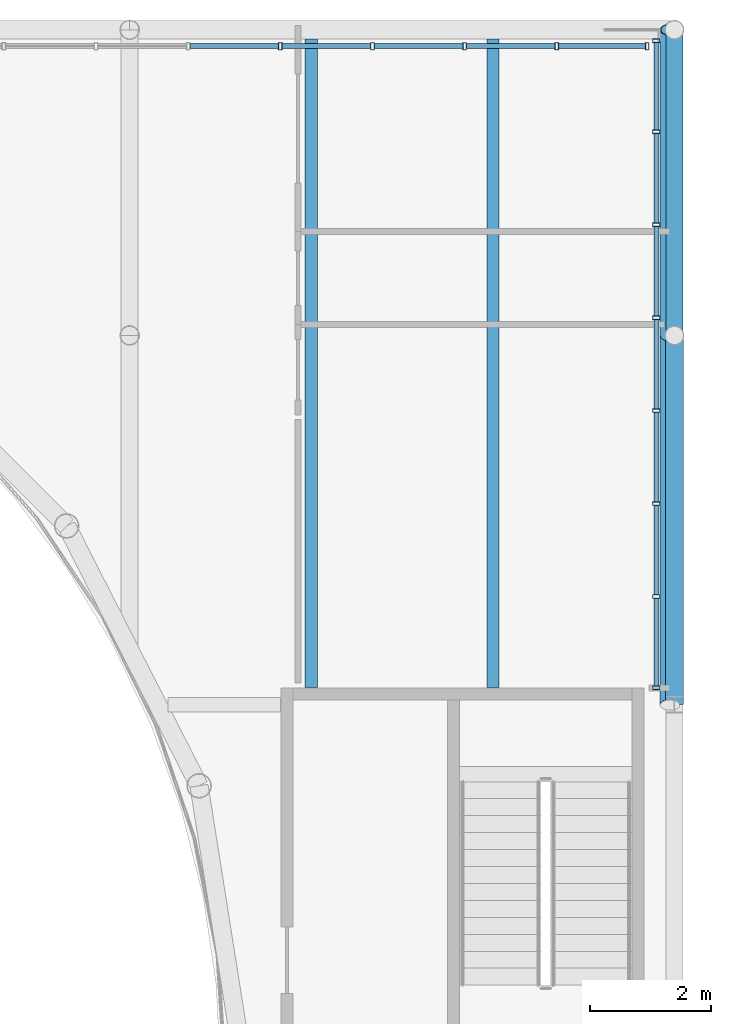
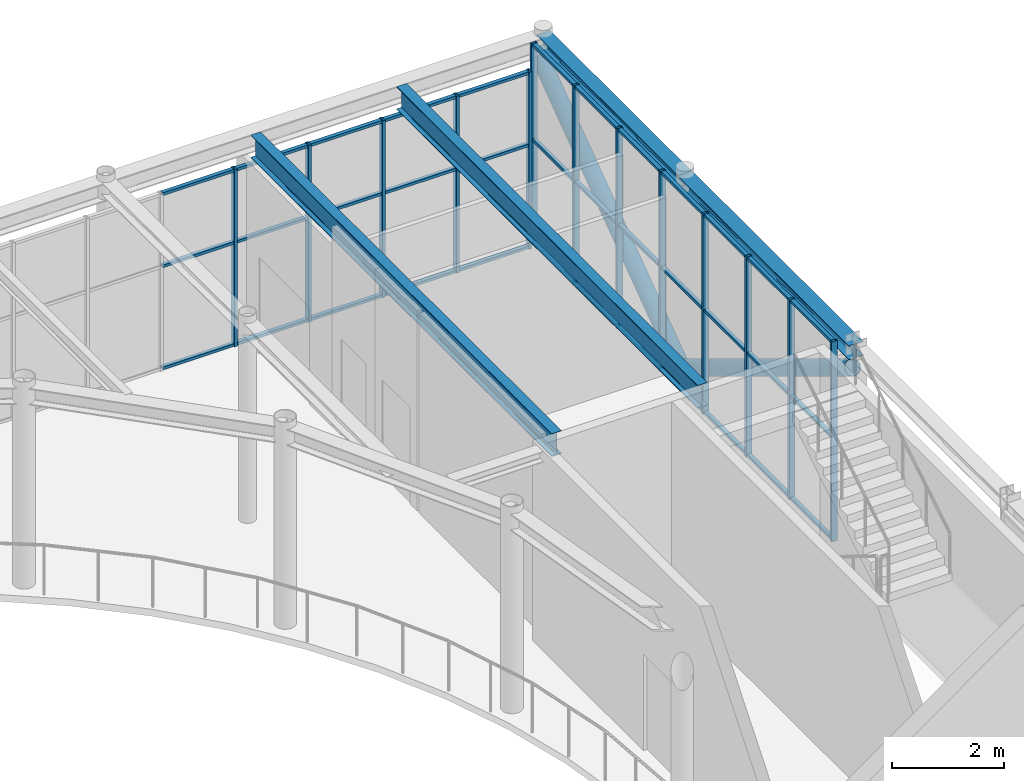
# One storey, part 43 of 70: 51 members, 4 beams, 2 elements without a shape of their own.
"""IFC4 building model written with IfcOpenShell, lengths in metres."""

from ifc_helpers import new_model, si_unit, direction, frame, origin, origin_2d, place, context, subcontext, project, spatial, hollow_rectangle, hollow_circle, i_section, extrude, material, layer, layer_set, material_profile, profile_set, type_object, element, aggregate, save


model = new_model("IFC4")

# Units and contexts
model_context = context("Model", 3, precision=1e-05, world=origin(), true_north=direction((0.0, 1.0)))
body_context = subcontext(model_context, "Body", "Model", "MODEL_VIEW")
ifc_project = project(units=[si_unit("LENGTHUNIT", "METRE"), si_unit("AREAUNIT", "SQUARE_METRE"), si_unit("VOLUMEUNIT", "CUBIC_METRE"), si_unit("PLANEANGLEUNIT", "RADIAN"), si_unit("MASSUNIT", "GRAM", prefix="KILO")], contexts=[model_context])

# Site, building, storey
site_placement = place(None, origin())
site = spatial("IfcSite", under=ifc_project, at=site_placement, CompositionType="ELEMENT")
building_placement = place(site_placement, origin())
building = spatial("IfcBuilding", under=site, at=building_placement, Name="Kallimachos Central Library", CompositionType="ELEMENT")
storey_placement = place(building_placement, frame((0.0, 0.0, 18.89990234375)))
storey = spatial("IfcBuildingStorey", under=building, at=storey_placement, Name="L04", CompositionType="ELEMENT", Elevation=18.89990234375)

# Members
ifc_material_1 = material(Name="Steel S355J2H", Category="steel")
ifc_material_profile_1 = material_profile(ifc_material_1, hollow_circle(Radius=0.161865234375, WallThickness=0.012451171875, at=origin_2d()), Name="CHS 323.9x12.5")
ifc_profile_set_1 = profile_set([ifc_material_profile_1], Name="Steel S355J2H")
member_type_1 = type_object("IfcMemberType", Name="CHS 323.9x12.5 brace", PredefinedType="BRACE", material=ifc_profile_set_1)
member_1_placement = place(storey_placement, frame((110.427001953125, 110.5, 3.85009765625), z_axis=(0.0, 0.855016223334, -0.518601251286), x_axis=(-1.0, 0.0, 0.0)))
element("IfcMember", 1, at=member_1_placement, inside=storey, type_object=member_type_1, Name="Cantilever truss diagonal 110.5 L04.1", PredefinedType="BRACE", context=body_context, shape_type="SweptSolid", body=[
    extrude(hollow_circle(Radius=0.161865234375, WallThickness=0.012451171875, at=origin_2d()), origin(), (0.0, 0.0, 1.0), 7.134521484375),
])
member_2_placement = place(storey_placement, frame((110.427001953125, 116.60009765625, 0.150146484375), z_axis=(0.0, 0.806651655217, 0.591027162774), x_axis=(-1.0, 0.0, 0.0)))
element("IfcMember", 2, at=member_2_placement, inside=storey, type_object=member_type_1, Name="Cantilever truss diagonal 110.5 L04.2", PredefinedType="BRACE", context=body_context, shape_type="SweptSolid", body=[
    extrude(hollow_circle(Radius=0.161865234375, WallThickness=0.012451171875, at=origin_2d()), origin(), (0.0, 0.0, 1.0), 6.26025390625),
])

# Curtain wall, members
ifc_material_2 = material(Name="Anodised aluminium and laminated glass", Category="aluminium")
ifc_layer = layer(ifc_material_2, 0.159912109375)
ifc_layer_set = layer_set([ifc_layer], Name="Glass box curtain wall")
curtain_wall_type = type_object("IfcCurtainWallType", Name="Glass box curtain wall", PredefinedType="NOTDEFINED", material=ifc_layer_set)
curtain_wall_1_placement = place(storey_placement, origin())
curtain_wall_1 = element("IfcCurtainWall", 3, at=curtain_wall_1_placement, inside=storey, type_object=curtain_wall_type, Name="Glass box curtain wall E L04", PredefinedType="NOTDEFINED")
ifc_material_3 = material(Name="Anodised aluminium", Category="aluminium")
ifc_material_profile_2 = material_profile(ifc_material_3, hollow_rectangle(XDim=0.06005859375, YDim=0.1201171875, WallThickness=0.00390625, at=origin_2d()), Name="ALU MULLION 60x120")
ifc_profile_set_2 = profile_set([ifc_material_profile_2], Name="Anodised aluminium")
member_type_2 = type_object("IfcMemberType", Name="Glass box mullion 60x120", PredefinedType="MULLION", material=ifc_profile_set_2)
member_3_placement = place(storey_placement, frame((110.199951171875, 110.780029296875, 0.0), z_axis=(0.0, 0.0, 1.0), x_axis=(0.0, 1.0, 0.0)))
member_3 = element("IfcMember", 4, at=member_3_placement, type_object=member_type_2, Name="CW33 mullion 1", PredefinedType="MULLION", context=body_context, shape_type="SweptSolid", body=[
    extrude(hollow_rectangle(XDim=0.06005859375, YDim=0.1201171875, WallThickness=0.00390625, at=origin_2d()), origin(), (0.0, 0.0, 1.0), 4.35009765625),
])
member_4_placement = place(storey_placement, frame((110.199951171875, 112.28564453125, 0.0), z_axis=(0.0, 0.0, 1.0), x_axis=(0.0, 1.0, 0.0)))
member_4 = element("IfcMember", 5, at=member_4_placement, type_object=member_type_2, Name="CW33 mullion 2", PredefinedType="MULLION", context=body_context, shape_type="SweptSolid", body=[
    extrude(hollow_rectangle(XDim=0.06005859375, YDim=0.1201171875, WallThickness=0.00390625, at=origin_2d()), origin(), (0.0, 0.0, 1.0), 4.35009765625),
])
member_5_placement = place(storey_placement, frame((110.199951171875, 113.821533203125, 0.0), z_axis=(0.0, 0.0, 1.0), x_axis=(0.0, 1.0, 0.0)))
member_5 = element("IfcMember", 6, at=member_5_placement, type_object=member_type_2, Name="CW33 mullion 3", PredefinedType="MULLION", context=body_context, shape_type="SweptSolid", body=[
    extrude(hollow_rectangle(XDim=0.06005859375, YDim=0.1201171875, WallThickness=0.00390625, at=origin_2d()), origin(), (0.0, 0.0, 1.0), 4.35009765625),
])
member_6_placement = place(storey_placement, frame((110.199951171875, 115.357177734375, 0.0), z_axis=(0.0, 0.0, 1.0), x_axis=(0.0, 1.0, 0.0)))
member_6 = element("IfcMember", 7, at=member_6_placement, type_object=member_type_2, Name="CW33 mullion 4", PredefinedType="MULLION", context=body_context, shape_type="SweptSolid", body=[
    extrude(hollow_rectangle(XDim=0.06005859375, YDim=0.1201171875, WallThickness=0.00390625, at=origin_2d()), origin(), (0.0, 0.0, 1.0), 4.35009765625),
])
member_7_placement = place(storey_placement, frame((110.199951171875, 116.892822265625, 0.0), z_axis=(0.0, 0.0, 1.0), x_axis=(0.0, 1.0, 0.0)))
member_7 = element("IfcMember", 8, at=member_7_placement, type_object=member_type_2, Name="CW33 mullion 5", PredefinedType="MULLION", context=body_context, shape_type="SweptSolid", body=[
    extrude(hollow_rectangle(XDim=0.06005859375, YDim=0.1201171875, WallThickness=0.00390625, at=origin_2d()), origin(), (0.0, 0.0, 1.0), 4.35009765625),
])
member_8_placement = place(storey_placement, frame((110.199951171875, 118.428466796875, 0.0), z_axis=(0.0, 0.0, 1.0), x_axis=(0.0, 1.0, 0.0)))
member_8 = element("IfcMember", 9, at=member_8_placement, type_object=member_type_2, Name="CW33 mullion 6", PredefinedType="MULLION", context=body_context, shape_type="SweptSolid", body=[
    extrude(hollow_rectangle(XDim=0.06005859375, YDim=0.1201171875, WallThickness=0.00390625, at=origin_2d()), origin(), (0.0, 0.0, 1.0), 4.35009765625),
])
member_9_placement = place(storey_placement, frame((110.199951171875, 119.96435546875, 0.0), z_axis=(0.0, 0.0, 1.0), x_axis=(0.0, 1.0, 0.0)))
member_9 = element("IfcMember", 10, at=member_9_placement, type_object=member_type_2, Name="CW33 mullion 7", PredefinedType="MULLION", context=body_context, shape_type="SweptSolid", body=[
    extrude(hollow_rectangle(XDim=0.06005859375, YDim=0.1201171875, WallThickness=0.00390625, at=origin_2d()), origin(), (0.0, 0.0, 1.0), 4.35009765625),
])
member_10_placement = place(storey_placement, frame((110.199951171875, 121.469970703125, 0.0), z_axis=(0.0, 0.0, 1.0), x_axis=(0.0, 1.0, 0.0)))
member_10 = element("IfcMember", 11, at=member_10_placement, type_object=member_type_2, Name="CW33 mullion 8", PredefinedType="MULLION", context=body_context, shape_type="SweptSolid", body=[
    extrude(hollow_rectangle(XDim=0.06005859375, YDim=0.1201171875, WallThickness=0.00390625, at=origin_2d()), origin(), (0.0, 0.0, 1.0), 4.35009765625),
])

curtain_wall_2_placement = place(storey_placement, origin())
curtain_wall_2 = element("IfcCurtainWall", 12, at=curtain_wall_2_placement, inside=storey, type_object=curtain_wall_type, Name="Glass box curtain wall N L04", PredefinedType="NOTDEFINED")
member_11_placement = place(storey_placement, frame((103.989013671875, 121.3798828125, 0.0), z_axis=(0.0, 0.0, 1.0), x_axis=(1.0, 0.0, 0.0)))
member_11 = element("IfcMember", 13, at=member_11_placement, type_object=member_type_2, Name="CW34 mullion 26", PredefinedType="MULLION", context=body_context, shape_type="SweptSolid", body=[
    extrude(hollow_rectangle(XDim=0.06005859375, YDim=0.1201171875, WallThickness=0.00390625, at=origin_2d()), origin(), (0.0, 0.0, 1.0), 3.85009765625),
])
member_12_placement = place(storey_placement, frame((105.51171875, 121.3798828125, 0.0), z_axis=(0.0, 0.0, 1.0), x_axis=(1.0, 0.0, 0.0)))
member_12 = element("IfcMember", 14, at=member_12_placement, type_object=member_type_2, Name="CW34 mullion 27", PredefinedType="MULLION", context=body_context, shape_type="SweptSolid", body=[
    extrude(hollow_rectangle(XDim=0.06005859375, YDim=0.1201171875, WallThickness=0.00390625, at=origin_2d()), origin(), (0.0, 0.0, 1.0), 3.85009765625),
])
member_13_placement = place(storey_placement, frame((107.034423828125, 121.3798828125, 0.0), z_axis=(0.0, 0.0, 1.0), x_axis=(1.0, 0.0, 0.0)))
member_13 = element("IfcMember", 15, at=member_13_placement, type_object=member_type_2, Name="CW34 mullion 28", PredefinedType="MULLION", context=body_context, shape_type="SweptSolid", body=[
    extrude(hollow_rectangle(XDim=0.06005859375, YDim=0.1201171875, WallThickness=0.00390625, at=origin_2d()), origin(), (0.0, 0.0, 1.0), 3.85009765625),
])
member_14_placement = place(storey_placement, frame((108.55712890625, 121.3798828125, 0.0), z_axis=(0.0, 0.0, 1.0), x_axis=(1.0, 0.0, 0.0)))
member_14 = element("IfcMember", 16, at=member_14_placement, type_object=member_type_2, Name="CW34 mullion 29", PredefinedType="MULLION", context=body_context, shape_type="SweptSolid", body=[
    extrude(hollow_rectangle(XDim=0.06005859375, YDim=0.1201171875, WallThickness=0.00390625, at=origin_2d()), origin(), (0.0, 0.0, 1.0), 3.85009765625),
])
member_15_placement = place(storey_placement, frame((110.050048828125, 121.3798828125, 0.0), z_axis=(0.0, 0.0, 1.0), x_axis=(1.0, 0.0, 0.0)))
member_15 = element("IfcMember", 17, at=member_15_placement, type_object=member_type_2, Name="CW34 mullion 30", PredefinedType="MULLION", context=body_context, shape_type="SweptSolid", body=[
    extrude(hollow_rectangle(XDim=0.06005859375, YDim=0.1201171875, WallThickness=0.00390625, at=origin_2d()), origin(), (0.0, 0.0, 1.0), 3.85009765625),
])

# Member
ifc_material_4 = material(Name="Anodised aluminium", Category="aluminium")
ifc_material_profile_3 = material_profile(ifc_material_4, hollow_rectangle(XDim=0.06005859375, YDim=0.080078125, WallThickness=0.00390625, at=origin_2d()), Name="ALU TRANSOM 60x80")
ifc_profile_set_3 = profile_set([ifc_material_profile_3], Name="Anodised aluminium")
member_type_3 = type_object("IfcMemberType", Name="Glass box transom 60x80", PredefinedType="USERDEFINED", material=ifc_profile_set_3)
member_16_placement = place(storey_placement, frame((110.199951171875, 110.81005859375, 0.030029296875), z_axis=(0.0, 1.0, 0.0), x_axis=(0.0, 0.0, 1.0)))
member_16 = element("IfcMember", 18, at=member_16_placement, type_object=member_type_3, Name="CW33 transom 1.1", ObjectType="TRANSOM", PredefinedType="USERDEFINED", context=body_context, shape_type="SweptSolid", body=[
    extrude(hollow_rectangle(XDim=0.06005859375, YDim=0.080078125, WallThickness=0.00390625, at=origin_2d()), origin(), (0.0, 0.0, 1.0), 1.445556640625),
])

member_17_placement = place(storey_placement, frame((110.199951171875, 110.81005859375, 2.25), z_axis=(0.0, 1.0, 0.0), x_axis=(0.0, 0.0, 1.0)))
member_17 = element("IfcMember", 19, at=member_17_placement, type_object=member_type_3, Name="CW33 transom 1.2", ObjectType="TRANSOM", PredefinedType="USERDEFINED", context=body_context, shape_type="SweptSolid", body=[
    extrude(hollow_rectangle(XDim=0.06005859375, YDim=0.080078125, WallThickness=0.00390625, at=origin_2d()), origin(), (0.0, 0.0, 1.0), 1.445556640625),
])

member_18_placement = place(storey_placement, frame((110.199951171875, 110.81005859375, 4.320068359375), z_axis=(0.0, 1.0, 0.0), x_axis=(0.0, 0.0, 1.0)))
member_18 = element("IfcMember", 20, at=member_18_placement, type_object=member_type_3, Name="CW33 transom 1.3", ObjectType="TRANSOM", PredefinedType="USERDEFINED", context=body_context, shape_type="SweptSolid", body=[
    extrude(hollow_rectangle(XDim=0.06005859375, YDim=0.080078125, WallThickness=0.00390625, at=origin_2d()), origin(), (0.0, 0.0, 1.0), 1.445556640625),
])

member_19_placement = place(storey_placement, frame((110.199951171875, 112.315673828125, 0.030029296875), z_axis=(0.0, 1.0, 0.0), x_axis=(0.0, 0.0, 1.0)))
member_19 = element("IfcMember", 21, at=member_19_placement, type_object=member_type_3, Name="CW33 transom 2.1", ObjectType="TRANSOM", PredefinedType="USERDEFINED", context=body_context, shape_type="SweptSolid", body=[
    extrude(hollow_rectangle(XDim=0.06005859375, YDim=0.080078125, WallThickness=0.00390625, at=origin_2d()), origin(), (0.0, 0.0, 1.0), 1.475830078125),
])

member_20_placement = place(storey_placement, frame((110.199951171875, 112.315673828125, 2.25), z_axis=(0.0, 1.0, 0.0), x_axis=(0.0, 0.0, 1.0)))
member_20 = element("IfcMember", 22, at=member_20_placement, type_object=member_type_3, Name="CW33 transom 2.2", ObjectType="TRANSOM", PredefinedType="USERDEFINED", context=body_context, shape_type="SweptSolid", body=[
    extrude(hollow_rectangle(XDim=0.06005859375, YDim=0.080078125, WallThickness=0.00390625, at=origin_2d()), origin(), (0.0, 0.0, 1.0), 1.475830078125),
])

member_21_placement = place(storey_placement, frame((110.199951171875, 112.315673828125, 4.320068359375), z_axis=(0.0, 1.0, 0.0), x_axis=(0.0, 0.0, 1.0)))
member_21 = element("IfcMember", 23, at=member_21_placement, type_object=member_type_3, Name="CW33 transom 2.3", ObjectType="TRANSOM", PredefinedType="USERDEFINED", context=body_context, shape_type="SweptSolid", body=[
    extrude(hollow_rectangle(XDim=0.06005859375, YDim=0.080078125, WallThickness=0.00390625, at=origin_2d()), origin(), (0.0, 0.0, 1.0), 1.475830078125),
])

member_22_placement = place(storey_placement, frame((110.199951171875, 113.851318359375, 0.030029296875), z_axis=(0.0, 1.0, 0.0), x_axis=(0.0, 0.0, 1.0)))
member_22 = element("IfcMember", 24, at=member_22_placement, type_object=member_type_3, Name="CW33 transom 3.1", ObjectType="TRANSOM", PredefinedType="USERDEFINED", context=body_context, shape_type="SweptSolid", body=[
    extrude(hollow_rectangle(XDim=0.06005859375, YDim=0.080078125, WallThickness=0.00390625, at=origin_2d()), origin(), (0.0, 0.0, 1.0), 1.475830078125),
])

member_23_placement = place(storey_placement, frame((110.199951171875, 113.851318359375, 2.25), z_axis=(0.0, 1.0, 0.0), x_axis=(0.0, 0.0, 1.0)))
member_23 = element("IfcMember", 25, at=member_23_placement, type_object=member_type_3, Name="CW33 transom 3.2", ObjectType="TRANSOM", PredefinedType="USERDEFINED", context=body_context, shape_type="SweptSolid", body=[
    extrude(hollow_rectangle(XDim=0.06005859375, YDim=0.080078125, WallThickness=0.00390625, at=origin_2d()), origin(), (0.0, 0.0, 1.0), 1.475830078125),
])

member_24_placement = place(storey_placement, frame((110.199951171875, 113.851318359375, 4.320068359375), z_axis=(0.0, 1.0, 0.0), x_axis=(0.0, 0.0, 1.0)))
member_24 = element("IfcMember", 26, at=member_24_placement, type_object=member_type_3, Name="CW33 transom 3.3", ObjectType="TRANSOM", PredefinedType="USERDEFINED", context=body_context, shape_type="SweptSolid", body=[
    extrude(hollow_rectangle(XDim=0.06005859375, YDim=0.080078125, WallThickness=0.00390625, at=origin_2d()), origin(), (0.0, 0.0, 1.0), 1.475830078125),
])

member_25_placement = place(storey_placement, frame((110.199951171875, 115.38720703125, 0.030029296875), z_axis=(0.0, 1.0, 0.0), x_axis=(0.0, 0.0, 1.0)))
member_25 = element("IfcMember", 27, at=member_25_placement, type_object=member_type_3, Name="CW33 transom 4.1", ObjectType="TRANSOM", PredefinedType="USERDEFINED", context=body_context, shape_type="SweptSolid", body=[
    extrude(hollow_rectangle(XDim=0.06005859375, YDim=0.080078125, WallThickness=0.00390625, at=origin_2d()), origin(), (0.0, 0.0, 1.0), 1.4755859375),
])

member_26_placement = place(storey_placement, frame((110.199951171875, 115.38720703125, 2.25), z_axis=(0.0, 1.0, 0.0), x_axis=(0.0, 0.0, 1.0)))
member_26 = element("IfcMember", 28, at=member_26_placement, type_object=member_type_3, Name="CW33 transom 4.2", ObjectType="TRANSOM", PredefinedType="USERDEFINED", context=body_context, shape_type="SweptSolid", body=[
    extrude(hollow_rectangle(XDim=0.06005859375, YDim=0.080078125, WallThickness=0.00390625, at=origin_2d()), origin(), (0.0, 0.0, 1.0), 1.4755859375),
])

member_27_placement = place(storey_placement, frame((110.199951171875, 115.38720703125, 4.320068359375), z_axis=(0.0, 1.0, 0.0), x_axis=(0.0, 0.0, 1.0)))
member_27 = element("IfcMember", 29, at=member_27_placement, type_object=member_type_3, Name="CW33 transom 4.3", ObjectType="TRANSOM", PredefinedType="USERDEFINED", context=body_context, shape_type="SweptSolid", body=[
    extrude(hollow_rectangle(XDim=0.06005859375, YDim=0.080078125, WallThickness=0.00390625, at=origin_2d()), origin(), (0.0, 0.0, 1.0), 1.4755859375),
])

member_28_placement = place(storey_placement, frame((110.199951171875, 116.9228515625, 0.030029296875), z_axis=(0.0, 1.0, 0.0), x_axis=(0.0, 0.0, 1.0)))
member_28 = element("IfcMember", 30, at=member_28_placement, type_object=member_type_3, Name="CW33 transom 5.1", ObjectType="TRANSOM", PredefinedType="USERDEFINED", context=body_context, shape_type="SweptSolid", body=[
    extrude(hollow_rectangle(XDim=0.06005859375, YDim=0.080078125, WallThickness=0.00390625, at=origin_2d()), origin(), (0.0, 0.0, 1.0), 1.475830078125),
])

member_29_placement = place(storey_placement, frame((110.199951171875, 116.9228515625, 2.25), z_axis=(0.0, 1.0, 0.0), x_axis=(0.0, 0.0, 1.0)))
member_29 = element("IfcMember", 31, at=member_29_placement, type_object=member_type_3, Name="CW33 transom 5.2", ObjectType="TRANSOM", PredefinedType="USERDEFINED", context=body_context, shape_type="SweptSolid", body=[
    extrude(hollow_rectangle(XDim=0.06005859375, YDim=0.080078125, WallThickness=0.00390625, at=origin_2d()), origin(), (0.0, 0.0, 1.0), 1.475830078125),
])

member_30_placement = place(storey_placement, frame((110.199951171875, 116.9228515625, 4.320068359375), z_axis=(0.0, 1.0, 0.0), x_axis=(0.0, 0.0, 1.0)))
member_30 = element("IfcMember", 32, at=member_30_placement, type_object=member_type_3, Name="CW33 transom 5.3", ObjectType="TRANSOM", PredefinedType="USERDEFINED", context=body_context, shape_type="SweptSolid", body=[
    extrude(hollow_rectangle(XDim=0.06005859375, YDim=0.080078125, WallThickness=0.00390625, at=origin_2d()), origin(), (0.0, 0.0, 1.0), 1.475830078125),
])

member_31_placement = place(storey_placement, frame((110.199951171875, 118.45849609375, 0.030029296875), z_axis=(0.0, 1.0, 0.0), x_axis=(0.0, 0.0, 1.0)))
member_31 = element("IfcMember", 33, at=member_31_placement, type_object=member_type_3, Name="CW33 transom 6.1", ObjectType="TRANSOM", PredefinedType="USERDEFINED", context=body_context, shape_type="SweptSolid", body=[
    extrude(hollow_rectangle(XDim=0.06005859375, YDim=0.080078125, WallThickness=0.00390625, at=origin_2d()), origin(), (0.0, 0.0, 1.0), 1.475830078125),
])

member_32_placement = place(storey_placement, frame((110.199951171875, 118.45849609375, 2.25), z_axis=(0.0, 1.0, 0.0), x_axis=(0.0, 0.0, 1.0)))
member_32 = element("IfcMember", 34, at=member_32_placement, type_object=member_type_3, Name="CW33 transom 6.2", ObjectType="TRANSOM", PredefinedType="USERDEFINED", context=body_context, shape_type="SweptSolid", body=[
    extrude(hollow_rectangle(XDim=0.06005859375, YDim=0.080078125, WallThickness=0.00390625, at=origin_2d()), origin(), (0.0, 0.0, 1.0), 1.475830078125),
])

member_33_placement = place(storey_placement, frame((110.199951171875, 118.45849609375, 4.320068359375), z_axis=(0.0, 1.0, 0.0), x_axis=(0.0, 0.0, 1.0)))
member_33 = element("IfcMember", 35, at=member_33_placement, type_object=member_type_3, Name="CW33 transom 6.3", ObjectType="TRANSOM", PredefinedType="USERDEFINED", context=body_context, shape_type="SweptSolid", body=[
    extrude(hollow_rectangle(XDim=0.06005859375, YDim=0.080078125, WallThickness=0.00390625, at=origin_2d()), origin(), (0.0, 0.0, 1.0), 1.475830078125),
])

member_34_placement = place(storey_placement, frame((110.199951171875, 119.994384765625, 0.030029296875), z_axis=(0.0, 1.0, 0.0), x_axis=(0.0, 0.0, 1.0)))
member_34 = element("IfcMember", 36, at=member_34_placement, type_object=member_type_3, Name="CW33 transom 7.1", ObjectType="TRANSOM", PredefinedType="USERDEFINED", context=body_context, shape_type="SweptSolid", body=[
    extrude(hollow_rectangle(XDim=0.06005859375, YDim=0.080078125, WallThickness=0.00390625, at=origin_2d()), origin(), (0.0, 0.0, 1.0), 1.445556640625),
])

member_35_placement = place(storey_placement, frame((110.199951171875, 119.994384765625, 2.25), z_axis=(0.0, 1.0, 0.0), x_axis=(0.0, 0.0, 1.0)))
member_35 = element("IfcMember", 37, at=member_35_placement, type_object=member_type_3, Name="CW33 transom 7.2", ObjectType="TRANSOM", PredefinedType="USERDEFINED", context=body_context, shape_type="SweptSolid", body=[
    extrude(hollow_rectangle(XDim=0.06005859375, YDim=0.080078125, WallThickness=0.00390625, at=origin_2d()), origin(), (0.0, 0.0, 1.0), 1.445556640625),
])

member_36_placement = place(storey_placement, frame((110.199951171875, 119.994384765625, 4.320068359375), z_axis=(0.0, 1.0, 0.0), x_axis=(0.0, 0.0, 1.0)))
member_36 = element("IfcMember", 38, at=member_36_placement, type_object=member_type_3, Name="CW33 transom 7.3", ObjectType="TRANSOM", PredefinedType="USERDEFINED", context=body_context, shape_type="SweptSolid", body=[
    extrude(hollow_rectangle(XDim=0.06005859375, YDim=0.080078125, WallThickness=0.00390625, at=origin_2d()), origin(), (0.0, 0.0, 1.0), 1.445556640625),
])

aggregate(curtain_wall_1, [member_3, member_4, member_5, member_6, member_7, member_8, member_9, member_10, member_16, member_17, member_18, member_19, member_20, member_21, member_22, member_23, member_24, member_25, member_26, member_27, member_28, member_29, member_30, member_31, member_32, member_33, member_34, member_35, member_36])

member_37_placement = place(storey_placement, frame((102.49609375, 121.3798828125, 0.030029296875), z_axis=(1.0, 0.0, 0.0), x_axis=(0.0, 0.0, 1.0)))
member_37 = element("IfcMember", 39, at=member_37_placement, type_object=member_type_3, Name="CW34 transom 25.1", ObjectType="TRANSOM", PredefinedType="USERDEFINED", context=body_context, shape_type="SweptSolid", body=[
    extrude(hollow_rectangle(XDim=0.06005859375, YDim=0.080078125, WallThickness=0.00390625, at=origin_2d()), origin(), (0.0, 0.0, 1.0), 1.462890625),
])

member_38_placement = place(storey_placement, frame((102.49609375, 121.3798828125, 2.25), z_axis=(1.0, 0.0, 0.0), x_axis=(0.0, 0.0, 1.0)))
member_38 = element("IfcMember", 40, at=member_38_placement, type_object=member_type_3, Name="CW34 transom 25.2", ObjectType="TRANSOM", PredefinedType="USERDEFINED", context=body_context, shape_type="SweptSolid", body=[
    extrude(hollow_rectangle(XDim=0.06005859375, YDim=0.080078125, WallThickness=0.00390625, at=origin_2d()), origin(), (0.0, 0.0, 1.0), 1.462890625),
])

member_39_placement = place(storey_placement, frame((102.49609375, 121.3798828125, 3.820068359375), z_axis=(1.0, 0.0, 0.0), x_axis=(0.0, 0.0, 1.0)))
member_39 = element("IfcMember", 41, at=member_39_placement, type_object=member_type_3, Name="CW34 transom 25.3", ObjectType="TRANSOM", PredefinedType="USERDEFINED", context=body_context, shape_type="SweptSolid", body=[
    extrude(hollow_rectangle(XDim=0.06005859375, YDim=0.080078125, WallThickness=0.00390625, at=origin_2d()), origin(), (0.0, 0.0, 1.0), 1.462890625),
])

member_40_placement = place(storey_placement, frame((104.01904296875, 121.3798828125, 0.030029296875), z_axis=(1.0, 0.0, 0.0), x_axis=(0.0, 0.0, 1.0)))
member_40 = element("IfcMember", 42, at=member_40_placement, type_object=member_type_3, Name="CW34 transom 26.1", ObjectType="TRANSOM", PredefinedType="USERDEFINED", context=body_context, shape_type="SweptSolid", body=[
    extrude(hollow_rectangle(XDim=0.06005859375, YDim=0.080078125, WallThickness=0.00390625, at=origin_2d()), origin(), (0.0, 0.0, 1.0), 1.462646484375),
])

member_41_placement = place(storey_placement, frame((104.01904296875, 121.3798828125, 2.25), z_axis=(1.0, 0.0, 0.0), x_axis=(0.0, 0.0, 1.0)))
member_41 = element("IfcMember", 43, at=member_41_placement, type_object=member_type_3, Name="CW34 transom 26.2", ObjectType="TRANSOM", PredefinedType="USERDEFINED", context=body_context, shape_type="SweptSolid", body=[
    extrude(hollow_rectangle(XDim=0.06005859375, YDim=0.080078125, WallThickness=0.00390625, at=origin_2d()), origin(), (0.0, 0.0, 1.0), 1.462646484375),
])

member_42_placement = place(storey_placement, frame((104.01904296875, 121.3798828125, 3.820068359375), z_axis=(1.0, 0.0, 0.0), x_axis=(0.0, 0.0, 1.0)))
member_42 = element("IfcMember", 44, at=member_42_placement, type_object=member_type_3, Name="CW34 transom 26.3", ObjectType="TRANSOM", PredefinedType="USERDEFINED", context=body_context, shape_type="SweptSolid", body=[
    extrude(hollow_rectangle(XDim=0.06005859375, YDim=0.080078125, WallThickness=0.00390625, at=origin_2d()), origin(), (0.0, 0.0, 1.0), 1.462646484375),
])

member_43_placement = place(storey_placement, frame((105.541748046875, 121.3798828125, 0.030029296875), z_axis=(1.0, 0.0, 0.0), x_axis=(0.0, 0.0, 1.0)))
member_43 = element("IfcMember", 45, at=member_43_placement, type_object=member_type_3, Name="CW34 transom 27.1", ObjectType="TRANSOM", PredefinedType="USERDEFINED", context=body_context, shape_type="SweptSolid", body=[
    extrude(hollow_rectangle(XDim=0.06005859375, YDim=0.080078125, WallThickness=0.00390625, at=origin_2d()), origin(), (0.0, 0.0, 1.0), 1.462646484375),
])

member_44_placement = place(storey_placement, frame((105.541748046875, 121.3798828125, 2.25), z_axis=(1.0, 0.0, 0.0), x_axis=(0.0, 0.0, 1.0)))
member_44 = element("IfcMember", 46, at=member_44_placement, type_object=member_type_3, Name="CW34 transom 27.2", ObjectType="TRANSOM", PredefinedType="USERDEFINED", context=body_context, shape_type="SweptSolid", body=[
    extrude(hollow_rectangle(XDim=0.06005859375, YDim=0.080078125, WallThickness=0.00390625, at=origin_2d()), origin(), (0.0, 0.0, 1.0), 1.462646484375),
])

member_45_placement = place(storey_placement, frame((105.541748046875, 121.3798828125, 3.820068359375), z_axis=(1.0, 0.0, 0.0), x_axis=(0.0, 0.0, 1.0)))
member_45 = element("IfcMember", 47, at=member_45_placement, type_object=member_type_3, Name="CW34 transom 27.3", ObjectType="TRANSOM", PredefinedType="USERDEFINED", context=body_context, shape_type="SweptSolid", body=[
    extrude(hollow_rectangle(XDim=0.06005859375, YDim=0.080078125, WallThickness=0.00390625, at=origin_2d()), origin(), (0.0, 0.0, 1.0), 1.462646484375),
])

member_46_placement = place(storey_placement, frame((107.064453125, 121.3798828125, 0.030029296875), z_axis=(1.0, 0.0, 0.0), x_axis=(0.0, 0.0, 1.0)))
member_46 = element("IfcMember", 48, at=member_46_placement, type_object=member_type_3, Name="CW34 transom 28.1", ObjectType="TRANSOM", PredefinedType="USERDEFINED", context=body_context, shape_type="SweptSolid", body=[
    extrude(hollow_rectangle(XDim=0.06005859375, YDim=0.080078125, WallThickness=0.00390625, at=origin_2d()), origin(), (0.0, 0.0, 1.0), 1.462890625),
])

member_47_placement = place(storey_placement, frame((107.064453125, 121.3798828125, 2.25), z_axis=(1.0, 0.0, 0.0), x_axis=(0.0, 0.0, 1.0)))
member_47 = element("IfcMember", 49, at=member_47_placement, type_object=member_type_3, Name="CW34 transom 28.2", ObjectType="TRANSOM", PredefinedType="USERDEFINED", context=body_context, shape_type="SweptSolid", body=[
    extrude(hollow_rectangle(XDim=0.06005859375, YDim=0.080078125, WallThickness=0.00390625, at=origin_2d()), origin(), (0.0, 0.0, 1.0), 1.462890625),
])

member_48_placement = place(storey_placement, frame((107.064453125, 121.3798828125, 3.820068359375), z_axis=(1.0, 0.0, 0.0), x_axis=(0.0, 0.0, 1.0)))
member_48 = element("IfcMember", 50, at=member_48_placement, type_object=member_type_3, Name="CW34 transom 28.3", ObjectType="TRANSOM", PredefinedType="USERDEFINED", context=body_context, shape_type="SweptSolid", body=[
    extrude(hollow_rectangle(XDim=0.06005859375, YDim=0.080078125, WallThickness=0.00390625, at=origin_2d()), origin(), (0.0, 0.0, 1.0), 1.462890625),
])

member_49_placement = place(storey_placement, frame((108.587158203125, 121.3798828125, 0.030029296875), z_axis=(1.0, 0.0, 0.0), x_axis=(0.0, 0.0, 1.0)))
member_49 = element("IfcMember", 51, at=member_49_placement, type_object=member_type_3, Name="CW34 transom 29.1", ObjectType="TRANSOM", PredefinedType="USERDEFINED", context=body_context, shape_type="SweptSolid", body=[
    extrude(hollow_rectangle(XDim=0.06005859375, YDim=0.080078125, WallThickness=0.00390625, at=origin_2d()), origin(), (0.0, 0.0, 1.0), 1.432861328125),
])

member_50_placement = place(storey_placement, frame((108.587158203125, 121.3798828125, 2.25), z_axis=(1.0, 0.0, 0.0), x_axis=(0.0, 0.0, 1.0)))
member_50 = element("IfcMember", 52, at=member_50_placement, type_object=member_type_3, Name="CW34 transom 29.2", ObjectType="TRANSOM", PredefinedType="USERDEFINED", context=body_context, shape_type="SweptSolid", body=[
    extrude(hollow_rectangle(XDim=0.06005859375, YDim=0.080078125, WallThickness=0.00390625, at=origin_2d()), origin(), (0.0, 0.0, 1.0), 1.432861328125),
])

member_51_placement = place(storey_placement, frame((108.587158203125, 121.3798828125, 3.820068359375), z_axis=(1.0, 0.0, 0.0), x_axis=(0.0, 0.0, 1.0)))
member_51 = element("IfcMember", 53, at=member_51_placement, type_object=member_type_3, Name="CW34 transom 29.3", ObjectType="TRANSOM", PredefinedType="USERDEFINED", context=body_context, shape_type="SweptSolid", body=[
    extrude(hollow_rectangle(XDim=0.06005859375, YDim=0.080078125, WallThickness=0.00390625, at=origin_2d()), origin(), (0.0, 0.0, 1.0), 1.432861328125),
])

aggregate(curtain_wall_2, [member_11, member_12, member_13, member_14, member_15, member_37, member_38, member_39, member_40, member_41, member_42, member_43, member_44, member_45, member_46, member_47, member_48, member_49, member_50, member_51])

# Beams
ifc_material_5 = material(Name="Steel S355J2", Category="steel")
ifc_material_profile_4 = material_profile(ifc_material_5, i_section(OverallWidth=0.280029296875, OverallDepth=0.27001953125, WebThickness=0.008056640625, FlangeThickness=0.012939453125, FilletRadius=0.02392578125, at=origin_2d()), Name="HEA 280")
ifc_profile_set_4 = profile_set([ifc_material_profile_4], Name="Steel S355J2")
beam_type_1 = type_object("IfcBeamType", Name="HEA 280 beam", PredefinedType="BEAM", material=ifc_profile_set_4)
beam_1_placement = place(storey_placement, frame((110.5, 116.60009765625, 4.215087890625), z_axis=(0.0, 1.0, 0.0), x_axis=(-1.0, 0.0, 0.0)))
element("IfcBeam", 54, at=beam_1_placement, inside=storey, type_object=beam_type_1, Name="V1-BEM-L04-038", PredefinedType="BEAM", context=body_context, shape_type="SweptSolid", body=[
    extrude(i_section(OverallWidth=0.280029296875, OverallDepth=0.27001953125, WebThickness=0.008056640625, FlangeThickness=0.012939453125, FilletRadius=0.02392578125, at=origin_2d()), origin(), (0.0, 0.0, 1.0), 5.0498046875),
])
ifc_material_6 = material(Name="Steel S355J2", Category="steel")
ifc_material_profile_5 = material_profile(ifc_material_6, i_section(OverallWidth=0.300048828125, OverallDepth=0.31005859375, WebThickness=0.009033203125, FlangeThickness=0.015380859375, FilletRadius=0.027099609375, at=origin_2d()), Name="HEA 320")
ifc_profile_set_5 = profile_set([ifc_material_profile_5], Name="Steel S355J2")
beam_type_2 = type_object("IfcBeamType", Name="HEA 320 beam", PredefinedType="BEAM", material=ifc_profile_set_5)
beam_2_placement = place(storey_placement, frame((110.5, 110.5, 4.195068359375), z_axis=(0.0, 1.0, 0.0), x_axis=(-1.0, 0.0, 0.0)))
element("IfcBeam", 55, at=beam_2_placement, inside=storey, type_object=beam_type_2, Name="V1-BEM-L04-037", PredefinedType="BEAM", context=body_context, shape_type="SweptSolid", body=[
    extrude(i_section(OverallWidth=0.300048828125, OverallDepth=0.31005859375, WebThickness=0.009033203125, FlangeThickness=0.015380859375, FilletRadius=0.027099609375, at=origin_2d()), origin(), (0.0, 0.0, 1.0), 6.10009765625),
])
ifc_material_7 = material(Name="Steel S355J2", Category="steel")
ifc_material_profile_6 = material_profile(ifc_material_7, i_section(OverallWidth=0.199951171875, OverallDepth=0.5, WebThickness=0.01025390625, FlangeThickness=0.01611328125, FilletRadius=0.02099609375, at=origin_2d()), Name="IPE 500")
ifc_profile_set_6 = profile_set([ifc_material_profile_6], Name="Steel S355J2")
beam_type_3 = type_object("IfcBeamType", Name="IPE 500 beam", PredefinedType="BEAM", material=ifc_profile_set_6)
for number, where, z_axis, x_axis, name in (
    (56, (104.5, 110.780029296875, 4.10009765625), (0.0, 1.0, 0.0), (-1.0, 0.0, 0.0), "V1-BEM-L04-066"),
    (57, (107.5, 110.780029296875, 4.10009765625), (0.0, 1.0, 0.0), (-1.0, 0.0, 0.0), "V1-BEM-L04-068"),
):
    element("IfcBeam", number, at=place(storey_placement, frame(where, z_axis=z_axis, x_axis=x_axis)), inside=storey, type_object=beam_type_3, Name=name, PredefinedType="BEAM", context=body_context, shape_type="SweptSolid", body=[
        extrude(i_section(OverallWidth=0.199951171875, OverallDepth=0.5, WebThickness=0.01025390625, FlangeThickness=0.01611328125, FilletRadius=0.02099609375, at=origin_2d()), origin(), (0.0, 0.0, 1.0), 10.719970703125),
    ])

save(model, "model.ifc")
